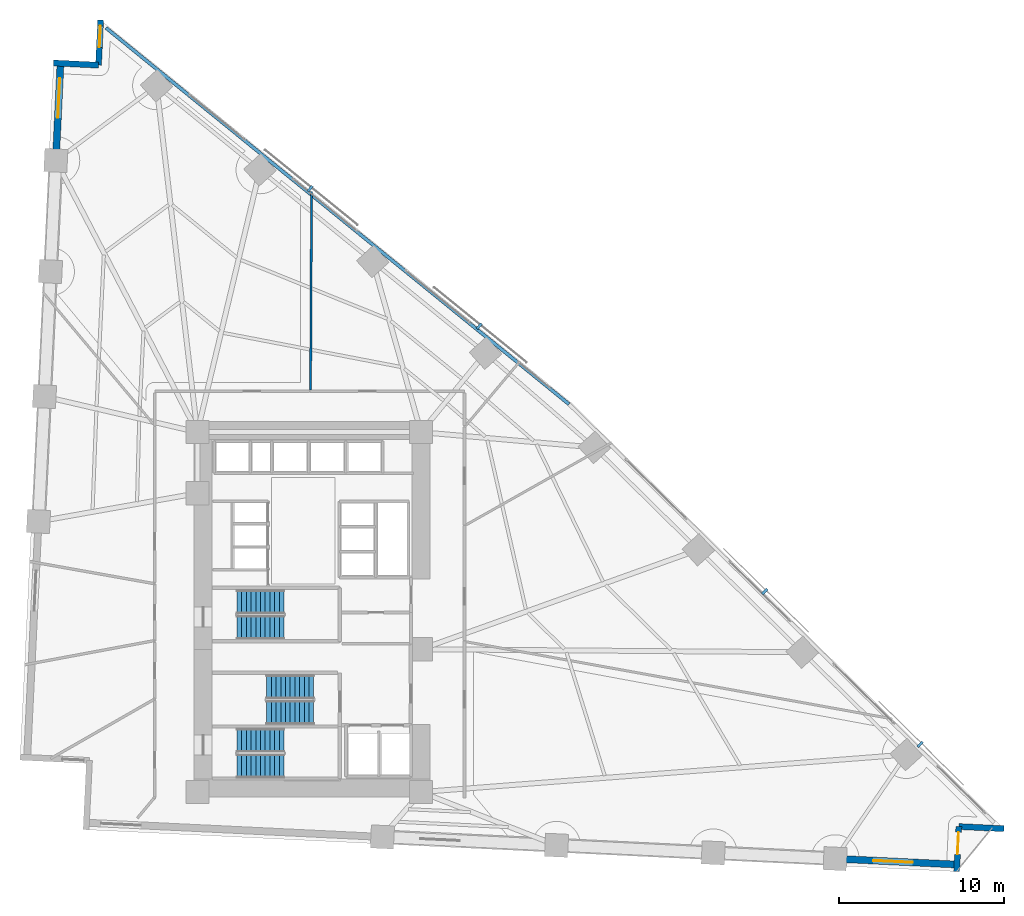
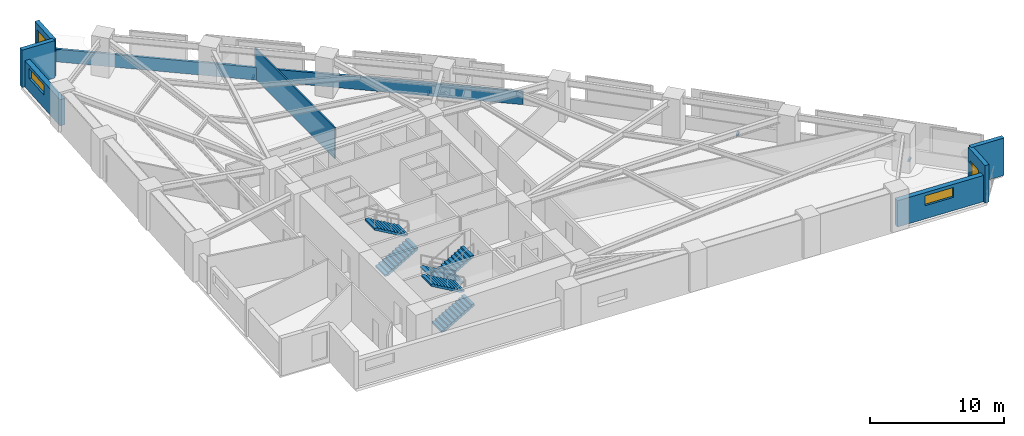
# One storey, part 15 of 17: 8 walls, 6 stair flights, 4 discrete accessories, 3 windows, 1 door, 4 openings, 3 elements without a shape of their own.
"""IFC4 building model written with IfcOpenShell, lengths in metres."""

import ifcopenshell
import ifcopenshell.guid

model = None  # the IFC model being written
_history = None  # IfcOwnerHistory: only IFC2X3 demands one
_inside = {}  # id of a spatial element -> (the spatial element, [elements in it])
_under = {}  # id of a project, library or spatial element -> (it, [spatial elements below it])
_declared = {}  # id of a project -> (the project, [libraries it declares])
_typed = {}  # id of a type object -> (the type object, [elements of that type])
_made_of = {}  # id of a material, layer set ... -> (it, [elements and type objects made of it])


def new_model(schema):
    """Start an empty IFC model of exactly this schema.

    Asked for "IFC4X3", IfcOpenShell would pick the latest addendum, in which some entities
    have other attributes; the version numbers below select the first issue.
    IFC2X3 requires an IfcOwnerHistory on every rooted entity: one is made here for all.
    """
    global model, _history
    if schema == "IFC4X3":
        model = ifcopenshell.file(schema_version=(4, 3, 0, 0))
    else:
        model = ifcopenshell.file(schema=schema)
    _inside.clear()
    _under.clear()
    _declared.clear()
    _typed.clear()
    _made_of.clear()
    _history = None
    if model.schema == "IFC2X3":
        org = make("IfcOrganization", Name="unknown")
        user = make(
            "IfcPersonAndOrganization",
            ThePerson=make("IfcPerson", FamilyName="unknown"),
            TheOrganization=org,
        )
        app = make(
            "IfcApplication",
            ApplicationDeveloper=org,
            Version="unknown",
            ApplicationFullName="unknown",
            ApplicationIdentifier="unknown",
        )
        _history = make(
            "IfcOwnerHistory",
            OwningUser=user,
            OwningApplication=app,
            ChangeAction="ADDED",
            CreationDate=0,
        )
    return model


def make(cls, **values):
    """One entity of the class cls with the attributes given. An attribute that is None is left unset."""
    return model.create_entity(
        cls, **{name: value for name, value in values.items() if value is not None}
    )


def rooted(cls, **values):
    """An entity with a GlobalId (a new one), such as an element, a storey or a relation."""
    return make(cls, GlobalId=ifcopenshell.guid.new(), OwnerHistory=_history, **values)


def si_unit(unit_type, name, prefix=None):
    """IfcSIUnit, for example si_unit("LENGTHUNIT", "METRE", prefix="MILLI")."""
    return make("IfcSIUnit", UnitType=unit_type, Prefix=prefix, Name=name)


def assignment(units):
    """IfcUnitAssignment: the units of a project."""
    return None if units is None else make("IfcUnitAssignment", Units=units)


def point(xyz):
    """IfcCartesianPoint."""
    return None if xyz is None else make("IfcCartesianPoint", Coordinates=xyz)


def direction(xyz):
    """IfcDirection."""
    return None if xyz is None else make("IfcDirection", DirectionRatios=xyz)


def frame(location, z_axis=None, x_axis=None):
    """IfcAxis2Placement3D, a coordinate frame: its origin and axes. An axis left out is left unset."""
    return make(
        "IfcAxis2Placement3D",
        Location=point(location),
        Axis=direction(z_axis),
        RefDirection=direction(x_axis),
    )


def frame_2d(location, x_axis=None):
    """IfcAxis2Placement2D, a coordinate frame in the plane: its origin and x axis."""
    return make(
        "IfcAxis2Placement2D", Location=point(location), RefDirection=direction(x_axis)
    )


def origin():
    """The frame at (0, 0, 0) with its axes left unset."""
    return frame((0.0, 0.0, 0.0))


def origin_2d():
    """The frame at (0, 0) in the plane with its x axis left unset."""
    return frame_2d((0.0, 0.0))


def place(relative_to, where):
    """IfcLocalPlacement: puts the frame where relative to a parent placement (None: the world)."""
    return make(
        "IfcLocalPlacement", PlacementRelTo=relative_to, RelativePlacement=where
    )


def context(
    kind, dimensions, precision=None, world=None, true_north=None, identifier=None
):
    """IfcGeometricRepresentationContext, for example the 3D "Model" context."""
    return make(
        "IfcGeometricRepresentationContext",
        ContextIdentifier=identifier,
        ContextType=kind,
        CoordinateSpaceDimension=dimensions,
        Precision=precision,
        WorldCoordinateSystem=world,
        TrueNorth=true_north,
    )


def subcontext(parent, identifier, kind, view, scale=None):
    """IfcGeometricRepresentationSubContext, for example "Body" below "Model"."""
    return make(
        "IfcGeometricRepresentationSubContext",
        ContextIdentifier=identifier,
        ContextType=kind,
        ParentContext=parent,
        TargetScale=scale,
        TargetView=view,
    )


def project(units=None, contexts=None):
    """IfcProject with its units and contexts."""
    return rooted(
        "IfcProject",
        Name="project",
        RepresentationContexts=contexts,
        UnitsInContext=assignment(units),
    )


def spatial(cls, under=None, at=None, **own):
    """A site, building, storey or space (cls), placed at a placement, below another one or the project."""
    s = rooted(cls, ObjectPlacement=at, **own)
    if under is not None:
        _under.setdefault(under.id(), (under, []))[1].append(s)
    return s


def polyline(points):
    """IfcPolyline through the points."""
    return make("IfcPolyline", Points=[point(p) for p in points])


def profile(cls, at=None, kind="AREA", **sizes):
    """A parametric profile (cls). Its sizes go by their IFC names, for example OverallWidth=200.0."""
    return make(cls, ProfileType=kind, Position=at, **sizes)


def rectangle(**sizes):
    """IfcRectangleProfileDef."""
    return profile("IfcRectangleProfileDef", **sizes)


def outline(outer, holes=None, kind="AREA"):
    """IfcArbitraryClosedProfileDef: a profile drawn as a closed curve; with holes, ...WithVoids."""
    if holes is None:
        return make("IfcArbitraryClosedProfileDef", ProfileType=kind, OuterCurve=outer)
    return make(
        "IfcArbitraryProfileDefWithVoids",
        ProfileType=kind,
        OuterCurve=outer,
        InnerCurves=holes,
    )


def extrude(swept, where, along, depth):
    """IfcExtrudedAreaSolid: the profile swept, set in the frame where, extruded along a direction by depth."""
    return make(
        "IfcExtrudedAreaSolid",
        SweptArea=swept,
        Position=where,
        ExtrudedDirection=direction(along),
        Depth=depth,
    )


def shape(context_of_items, identifier, shape_type, items):
    """IfcShapeRepresentation: the items that make up one representation, for example the "Body"."""
    return make(
        "IfcShapeRepresentation",
        ContextOfItems=context_of_items,
        RepresentationIdentifier=identifier,
        RepresentationType=shape_type,
        Items=items,
    )


def material(Name=None, Category=None):
    """IfcMaterial."""
    return make("IfcMaterial", Name=Name, Category=Category)


def layer(
    of_material, thickness, ventilated=None, Name=None, Category=None, Priority=None
):
    """IfcMaterialLayer: one layer of a wall or slab, of a material (None: an air gap)."""
    return make(
        "IfcMaterialLayer",
        Material=of_material,
        LayerThickness=thickness,
        IsVentilated=ventilated,
        Name=Name,
        Category=Category,
        Priority=Priority,
    )


def layer_set(layers, Name=None):
    """IfcMaterialLayerSet."""
    return make("IfcMaterialLayerSet", MaterialLayers=layers, LayerSetName=Name)


def made_of(thing, what):
    """Note that an element or type object is made of a material, layer set ...; save() writes the relation."""
    if what is not None:
        _made_of.setdefault(what.id(), (what, []))[1].append(thing)
    return thing


def type_object(cls, material=None, **own):
    """A type object (cls), such as IfcWallType, which elements share."""
    return made_of(rooted(cls, **own), material)


def element(
    cls,
    number,
    at=None,
    inside=None,
    cuts=None,
    type_object=None,
    material=None,
    context=None,
    identifier="Body",
    shape_type=None,
    held_by="IfcProductDefinitionShape",
    body=None,
    shapes=None,
    **own,
):
    """One element of the class cls, such as IfcWall. Its Tag is "e" and its number.

    at: its placement. inside: the storey or other place that contains it. cuts: it is an
    opening in that element (IfcRelVoidsElement). A single representation is given by context,
    identifier, shape_type and body (its items); several are given by shapes. held_by: the class
    of the entity that holds the representations. save() writes the other relations.
    """
    e = rooted(cls, Tag="e%d" % number, ObjectPlacement=at, **own)
    if body is not None:
        shapes = [shape(context, identifier, shape_type, body)]
    if shapes is not None:
        e.Representation = make(held_by, Representations=shapes)
    if inside is not None:
        _inside.setdefault(inside.id(), (inside, []))[1].append(e)
    if cuts is not None:
        rooted(
            "IfcRelVoidsElement", RelatingBuildingElement=cuts, RelatedOpeningElement=e
        )
    if type_object is not None:
        _typed.setdefault(type_object.id(), (type_object, []))[1].append(e)
    return made_of(e, material)


def fill(opening, filler):
    """IfcRelFillsElement: the door or window that sits in an opening."""
    return rooted(
        "IfcRelFillsElement",
        RelatingOpeningElement=opening,
        RelatedBuildingElement=filler,
    )


def aggregate(whole, parts):
    """IfcRelAggregates: a whole, such as a stair, and the parts it consists of."""
    return rooted("IfcRelAggregates", RelatingObject=whole, RelatedObjects=parts)


def save(model, path):
    """Write the relations noted so far, then the file.

    IfcRelAggregates (storeys below a building ...), IfcRelContainedInSpatialStructure (elements
    in a storey), IfcRelDefinesByType, IfcRelAssociatesMaterial and IfcRelDeclares: one each for
    every whole, place, type object, material and project.
    """
    for whole, parts in _under.values():
        aggregate(whole, parts)
    for where, things in _inside.values():
        rooted(
            "IfcRelContainedInSpatialStructure",
            RelatedElements=things,
            RelatingStructure=where,
        )
    for kind, things in _typed.values():
        rooted("IfcRelDefinesByType", RelatedObjects=things, RelatingType=kind)
    for what, things in _made_of.values():
        rooted("IfcRelAssociatesMaterial", RelatedObjects=things, RelatingMaterial=what)
    for by, libraries in _declared.values():
        rooted("IfcRelDeclares", RelatingContext=by, RelatedDefinitions=libraries)
    model.write(path)


model = new_model("IFC4")

# Units and contexts
model_context = context("Model", 3, precision=1e-05, world=origin(), true_north=direction((0.0, 1.0)))
body_context = subcontext(model_context, "Body", "Model", "MODEL_VIEW")
ifc_project = project(units=[si_unit("LENGTHUNIT", "METRE"), si_unit("AREAUNIT", "SQUARE_METRE"), si_unit("VOLUMEUNIT", "CUBIC_METRE"), si_unit("PLANEANGLEUNIT", "RADIAN"), si_unit("MASSUNIT", "GRAM", prefix="KILO")], contexts=[model_context])

# Site, building, storey
site_placement = place(None, origin())
site = spatial("IfcSite", under=ifc_project, at=site_placement, CompositionType="ELEMENT")
building_placement = place(site_placement, origin())
building = spatial("IfcBuilding", under=site, at=building_placement, Name="Narakoshi Arena Tower", CompositionType="ELEMENT")
storey_placement = place(building_placement, frame((0.0, 0.0, 37.5)))
storey = spatial("IfcBuildingStorey", under=building, at=storey_placement, Name="L09", CompositionType="ELEMENT", Elevation=37.5)

# Walls
ifc_material_1 = material(Name="Precast concrete C45/55", Category="concrete")
ifc_layer_1 = layer(ifc_material_1, 0.25)
ifc_layer_set_1 = layer_set([ifc_layer_1], Name="Precast concrete C45/55")
wall_type_1 = type_object("IfcWallType", Name="WL-PARA-250", PredefinedType="PARAPET", material=ifc_layer_set_1)
wall_1_placement = place(storey_placement, frame((94.51318359375, 58.19580078125, 0.0), z_axis=(0.0, 0.0, 1.0), x_axis=(-0.776001602097, 0.630730935933, 0.0)))
element("IfcWall", 1, at=wall_1_placement, inside=storey, type_object=wall_type_1, Name="L09 Hypotenuse Sill Upstand Parapet 2-01", PredefinedType="PARAPET", context=body_context, shape_type="SweptSolid", body=[
    extrude(rectangle(XDim=36.14794921875, YDim=0.199951171875, at=frame_2d((18.073974609375, 0.0))), origin(), (0.0, 0.0, 1.0), 1.14990234375),
])
ifc_material_2 = material(Name="Gypsum plasterboard fire-rated partition")
ifc_layer_2 = layer(ifc_material_2, 0.125)
ifc_layer_set_2 = layer_set([ifc_layer_2], Name="Gypsum plasterboard fire-rated partition")
wall_type_2 = type_object("IfcWallType", Name="WL-PART-125", PredefinedType="PARTITIONING", material=ifc_layer_set_2)
wall_2_placement = place(storey_placement, frame((78.860107421875, 59.06689453125, 0.0), z_axis=(0.0, 0.0, 1.0), x_axis=(0.005041918551, 0.999987289448, 0.0)))
element("IfcWall", 2, at=wall_2_placement, inside=storey, type_object=wall_type_2, Name="L09 Inter-Room Partition 07-08", PredefinedType="PARTITIONING", context=body_context, shape_type="SweptSolid", body=[
    extrude(rectangle(XDim=12.0087890625, YDim=0.125, at=frame_2d((6.00439453125, 0.0))), origin(), (0.0, 0.0, 1.0), 2.784912109375),
])

# Wall, opening, window
ifc_layer_3 = layer(ifc_material_1, 0.419921875)
ifc_layer_set_3 = layer_set([ifc_layer_3], Name="Precast concrete C45/55")
wall_type_3 = type_object("IfcWallType", Name="WL-POD-420", PredefinedType="SOLIDWALL", material=ifc_layer_set_3)
wall_3_placement = place(storey_placement, frame((110.636474609375, 30.661865234375, 0.0), z_axis=(0.0, 0.0, 1.0), x_axis=(0.998847872759, -0.047988822508, 0.0)))
wall_3 = element("IfcWall", 3, at=wall_3_placement, inside=storey, type_object=wall_type_3, Name="L09 Architectural Concrete Facade Wall LEGA-3", PredefinedType="SOLIDWALL", context=body_context, shape_type="SweptSolid", body=[
    extrude(rectangle(XDim=7.39208984375, YDim=0.419921875, at=frame_2d((3.696044921875, 0.0))), origin(), (0.0, 0.0, 1.0), 2.385009765625),
])
opening_1_placement = place(wall_3_placement, frame((2.300048828125, 0.0, 1.199951171875)))
opening_1 = element("IfcOpeningElement", 4, at=opening_1_placement, cuts=wall_3, Name="Opening WN-01", PredefinedType="OPENING", context=body_context, shape_type="SweptSolid", body=[
    extrude(rectangle(XDim=2.39990234375, YDim=0.89990234375, at=frame_2d((1.199951171875, 0.449951171875))), frame((0.0, 0.219970703125, 0.0), z_axis=(0.0, -1.0, 0.0), x_axis=(1.0, 0.0, 0.0)), (0.0, 0.0, 1.0), 0.43994140625),
])
ifc_material_3 = material(Name="Bronze-tinted low-E laminated glass", Category="glass")
window_type_1 = type_object("IfcWindowType", Name="WIN-SLT-24x09", PartitioningType="SINGLE_PANEL", PredefinedType="WINDOW", material=ifc_material_3)
window_1_placement = place(opening_1_placement, origin())
window_1 = element("IfcWindow", 5, at=window_1_placement, inside=storey, type_object=window_type_1, Name="L09 LEGA3 Horizontal Slot Window 1", OverallHeight=0.89990234375, OverallWidth=2.39990234375, PartitioningType="SINGLE_PANEL", PredefinedType="WINDOW", context=body_context, shape_type="SweptSolid", body=[
    extrude(rectangle(XDim=2.39990234375, YDim=0.89990234375, at=frame_2d((1.199951171875, 0.449951171875))), frame((0.0, 0.030029296875, 0.0), z_axis=(0.0, -1.0, 0.0), x_axis=(1.0, 0.0, 0.0)), (0.0, 0.0, 1.0), 0.06005859375),
])
fill(opening_1, window_1)

wall_4_placement = place(storey_placement, frame((63.711181640625, 78.84375, 0.0), z_axis=(0.0, 0.0, 1.0), x_axis=(-0.048007946398, -0.998846953784, 0.0)))
wall_4 = element("IfcWall", 6, at=wall_4_placement, inside=storey, type_object=wall_type_3, Name="L09 Architectural Concrete Facade Wall LEGB-1", PredefinedType="SOLIDWALL", context=body_context, shape_type="SweptSolid", body=[
    extrude(rectangle(XDim=5.89404296875, YDim=0.419921875, at=frame_2d((2.947021484375, 0.0))), origin(), (0.0, 0.0, 1.0), 2.385009765625),
])
opening_2_placement = place(wall_4_placement, frame((0.89990234375, 0.0, 1.199951171875)))
opening_2 = element("IfcOpeningElement", 7, at=opening_2_placement, cuts=wall_4, Name="Opening WN-01", PredefinedType="OPENING", context=body_context, shape_type="SweptSolid", body=[
    extrude(rectangle(XDim=2.39990234375, YDim=0.89990234375, at=frame_2d((1.199951171875, 0.449951171875))), frame((0.0, 0.219970703125, 0.0), z_axis=(0.0, -1.0, 0.0), x_axis=(1.0, 0.0, 0.0)), (0.0, 0.0, 1.0), 0.43994140625),
])
window_2_placement = place(opening_2_placement, origin())
window_2 = element("IfcWindow", 8, at=window_2_placement, inside=storey, type_object=window_type_1, Name="L09 LEGB1 Horizontal Slot Window 1", OverallHeight=0.89990234375, OverallWidth=2.39990234375, PartitioningType="SINGLE_PANEL", PredefinedType="WINDOW", context=body_context, shape_type="SweptSolid", body=[
    extrude(rectangle(XDim=2.39990234375, YDim=0.89990234375, at=frame_2d((1.199951171875, 0.449951171875))), frame((0.0, 0.030029296875, 0.0), z_axis=(0.0, -1.0, 0.0), x_axis=(1.0, 0.0, 0.0)), (0.0, 0.0, 1.0), 0.06005859375),
])
fill(opening_2, window_2)

# Wall, opening, door
wall_5_placement = place(storey_placement, frame((117.99951171875, 29.8828125, 0.0), z_axis=(0.0, 0.0, 1.0), x_axis=(0.048024030708, 0.998846180588, 0.0)))
wall_5 = element("IfcWall", 9, at=wall_5_placement, inside=storey, type_object=wall_type_3, Name="L09 Re-Entrant Corner Notch Wall NTE-1", PredefinedType="SOLIDWALL", context=body_context, shape_type="SweptSolid", body=[
    extrude(rectangle(XDim=2.72998046875, YDim=0.360107421875, at=frame_2d((1.364990234375, 0.0))), origin(), (0.0, 0.0, 1.0), 3.39990234375),
])
opening_3_placement = place(wall_5_placement, frame((1.0400390625, 0.0, 0.0)))
opening_3 = element("IfcOpeningElement", 10, at=opening_3_placement, cuts=wall_5, Name="Opening D-12", PredefinedType="OPENING", context=body_context, shape_type="SweptSolid", body=[
    extrude(rectangle(XDim=1.35009765625, YDim=2.35009765625, at=frame_2d((0.675048828125, 1.175048828125))), frame((0.0, 0.18994140625, 0.0), z_axis=(0.0, -1.0, 0.0), x_axis=(1.0, 0.0, 0.0)), (0.0, 0.0, 1.0), 0.380126953125),
])
ifc_material_4 = material(Name="Anodised bronze aluminium 6063-T6", Category="aluminium")
door_type = type_object("IfcDoorType", Name="DR-LOG-1350", OperationType="DOUBLE_DOOR_SLIDING", PredefinedType="DOOR", material=ifc_material_4)
door_placement = place(opening_3_placement, origin())
door = element("IfcDoor", 11, at=door_placement, inside=storey, type_object=door_type, Name="DR-L09-001", OperationType="DOUBLE_DOOR_SLIDING", OverallHeight=2.35009765625, OverallWidth=1.35009765625, PredefinedType="DOOR", context=body_context, shape_type="SweptSolid", body=[
    extrude(rectangle(XDim=1.35009765625, YDim=2.35009765625, at=frame_2d((0.675048828125, 1.175048828125))), frame((0.0, 0.02490234375, 0.0), z_axis=(0.0, -1.0, 0.0), x_axis=(1.0, 0.0, 0.0)), (0.0, 0.0, 1.0), 0.050048828125),
])
fill(opening_3, door)

# Wall
wall_6_placement = place(storey_placement, frame((118.130615234375, 32.609619140625, 0.0), z_axis=(0.0, 0.0, 1.0), x_axis=(0.998846180588, -0.048024030708, 0.0)))
element("IfcWall", 12, at=wall_6_placement, inside=storey, type_object=wall_type_3, Name="L09 Re-Entrant Corner Notch Wall NTE-2", PredefinedType="SOLIDWALL", context=body_context, shape_type="SweptSolid", body=[
    extrude(rectangle(XDim=2.72998046875, YDim=0.360107421875, at=frame_2d((1.364990234375, 0.0))), origin(), (0.0, 0.0, 1.0), 3.39990234375),
])

# Wall, opening, window
wall_7_placement = place(storey_placement, frame((66.144287109375, 81.4599609375, 0.0), z_axis=(0.0, 0.0, 1.0), x_axis=(-0.047934806162, -0.998850466465, 0.0)))
wall_7 = element("IfcWall", 13, at=wall_7_placement, inside=storey, type_object=wall_type_3, Name="L09 Re-Entrant Corner Notch Wall NTN-1", PredefinedType="SOLIDWALL", context=body_context, shape_type="SweptSolid", body=[
    extrude(rectangle(XDim=2.72998046875, YDim=0.360107421875, at=frame_2d((1.364990234375, 0.0))), origin(), (0.0, 0.0, 1.0), 3.39990234375),
])
opening_4_placement = place(wall_7_placement, frame((0.340087890625, 0.0, 0.449951171875)))
opening_4 = element("IfcOpeningElement", 14, at=opening_4_placement, cuts=wall_7, Name="Opening WN-06", PredefinedType="OPENING", context=body_context, shape_type="SweptSolid", body=[
    extrude(rectangle(XDim=1.300048828125, YDim=2.39990234375, at=frame_2d((0.64990234375, 1.199951171875))), frame((0.0, 0.18994140625, 0.0), z_axis=(0.0, -1.0, 0.0), x_axis=(1.0, 0.0, 0.0)), (0.0, 0.0, 1.0), 0.380126953125),
])
window_type_2 = type_object("IfcWindowType", Name="WIN-NTC-16x24", PartitioningType="SINGLE_PANEL", PredefinedType="WINDOW", material=ifc_material_3)
window_3_placement = place(opening_4_placement, origin())
window_3 = element("IfcWindow", 15, at=window_3_placement, inside=storey, type_object=window_type_2, Name="L09 Corner Notch Window NTN", OverallHeight=2.39990234375, OverallWidth=1.300048828125, PartitioningType="SINGLE_PANEL", PredefinedType="WINDOW", context=body_context, shape_type="SweptSolid", body=[
    extrude(rectangle(XDim=1.300048828125, YDim=2.39990234375, at=frame_2d((0.64990234375, 1.199951171875))), frame((0.0, 0.030029296875, 0.0), z_axis=(0.0, -1.0, 0.0), x_axis=(1.0, 0.0, 0.0)), (0.0, 0.0, 1.0), 0.06005859375),
])
fill(opening_4, window_3)

# Wall
wall_8_placement = place(storey_placement, frame((66.013427734375, 78.733154296875, 0.0), z_axis=(0.0, 0.0, 1.0), x_axis=(-0.998846180588, 0.048024030708, 0.0)))
element("IfcWall", 16, at=wall_8_placement, inside=storey, type_object=wall_type_3, Name="L09 Re-Entrant Corner Notch Wall NTN-2", PredefinedType="SOLIDWALL", context=body_context, shape_type="SweptSolid", body=[
    extrude(rectangle(XDim=2.72998046875, YDim=0.360107421875, at=frame_2d((1.364990234375, 0.0))), origin(), (0.0, 0.0, 1.0), 3.39990234375),
])

# Stair, stair flights
ifc_material_5 = material(Name="Concrete C45/55", Category="concrete")
stair_type = type_object("IfcStairType", Name="STR-CORE-360", PredefinedType="TWO_STRAIGHT_RUN_STAIR", material=ifc_material_5)
stair_1_placement = place(storey_placement, origin())
stair_1 = element("IfcStair", 17, at=stair_1_placement, inside=storey, type_object=stair_type, Name="L09 Core Escape Stair ST1", PredefinedType="TWO_STRAIGHT_RUN_STAIR")
stair_flight_type = type_object("IfcStairFlightType", Name="FLT-145-160", PredefinedType="STRAIGHT", material=ifc_material_1)
stair_flight_1_placement = place(storey_placement, frame((74.39990234375, 36.27490234375, 0.0), z_axis=(0.0, 0.0, 1.0), x_axis=(1.0, 0.0, 0.0)))
stair_flight_1 = element("IfcStairFlight", 18, at=stair_flight_1_placement, type_object=stair_flight_type, Name="ST1 flight 1", NumberOfRisers=11, NumberOfTreads=10, PredefinedType="STRAIGHT", RiserHeight=0.163636364, TreadLength=0.285, context=body_context, shape_type="SweptSolid", body=[
    extrude(outline(polyline([(0.0, 0.0), (0.0, 0.16357421875), (0.284912109375, 0.16357421875), (0.284912109375, 0.327392578125), (0.570068359375, 0.327392578125), (0.570068359375, 0.490966796875), (0.85498046875, 0.490966796875), (0.85498046875, 0.654541015625), (1.139892578125, 0.654541015625), (1.139892578125, 0.818115234375), (1.425048828125, 0.818115234375), (1.425048828125, 0.98193359375), (1.7099609375, 0.98193359375), (1.7099609375, 1.1455078125), (1.9951171875, 1.1455078125), (1.9951171875, 1.30908203125), (2.280029296875, 1.30908203125), (2.280029296875, 1.47265625), (2.56494140625, 1.47265625), (2.56494140625, 1.636474609375), (2.85009765625, 1.636474609375), (2.85009765625, 1.800048828125), (2.85009765625, 1.463623046875), (0.301025390625, 0.0), (0.0, 0.0)])), frame((0.0, 0.72509765625, 0.0), z_axis=(0.0, -1.0, 0.0), x_axis=(1.0, 0.0, 0.0)), (0.0, 0.0, 1.0), 1.449951171875),
])
stair_flight_2_placement = place(storey_placement, frame((77.25, 37.824951171875, 1.800048828125), z_axis=(0.0, 0.0, 1.0), x_axis=(-1.0, 0.0, 0.0)))
stair_flight_2 = element("IfcStairFlight", 19, at=stair_flight_2_placement, type_object=stair_flight_type, Name="ST1 flight 2", NumberOfRisers=11, NumberOfTreads=10, PredefinedType="STRAIGHT", RiserHeight=0.163636364, TreadLength=0.285, context=body_context, shape_type="SweptSolid", body=[
    extrude(outline(polyline([(0.0, 0.0), (0.0, 0.16357421875), (0.284912109375, 0.16357421875), (0.284912109375, 0.327392578125), (0.570068359375, 0.327392578125), (0.570068359375, 0.490966796875), (0.85498046875, 0.490966796875), (0.85498046875, 0.654541015625), (1.139892578125, 0.654541015625), (1.139892578125, 0.818115234375), (1.425048828125, 0.818115234375), (1.425048828125, 0.98193359375), (1.7099609375, 0.98193359375), (1.7099609375, 1.1455078125), (1.9951171875, 1.1455078125), (1.9951171875, 1.30908203125), (2.280029296875, 1.30908203125), (2.280029296875, 1.47265625), (2.56494140625, 1.47265625), (2.56494140625, 1.636474609375), (2.85009765625, 1.636474609375), (2.85009765625, 1.800048828125), (2.85009765625, 1.463623046875), (0.301025390625, 0.0), (0.0, 0.0)])), frame((0.0, 0.72509765625, 0.0), z_axis=(0.0, -1.0, 0.0), x_axis=(1.0, 0.0, 0.0)), (0.0, 0.0, 1.0), 1.449951171875),
])
aggregate(stair_1, [stair_flight_1, stair_flight_2])

stair_2_placement = place(storey_placement, origin())
stair_2 = element("IfcStair", 20, at=stair_2_placement, inside=storey, type_object=stair_type, Name="L09 Core Escape Stair ST2", PredefinedType="TWO_STRAIGHT_RUN_STAIR")
stair_flight_3_placement = place(storey_placement, frame((79.050048828125, 41.074951171875, 0.0), z_axis=(0.0, 0.0, 1.0), x_axis=(-1.0, 0.0, 0.0)))
stair_flight_3 = element("IfcStairFlight", 21, at=stair_flight_3_placement, type_object=stair_flight_type, Name="ST2 flight 1", NumberOfRisers=11, NumberOfTreads=10, PredefinedType="STRAIGHT", RiserHeight=0.163636364, TreadLength=0.285, context=body_context, shape_type="SweptSolid", body=[
    extrude(outline(polyline([(0.0, 0.0), (0.0, 0.16357421875), (0.284912109375, 0.16357421875), (0.284912109375, 0.327392578125), (0.570068359375, 0.327392578125), (0.570068359375, 0.490966796875), (0.85498046875, 0.490966796875), (0.85498046875, 0.654541015625), (1.139892578125, 0.654541015625), (1.139892578125, 0.818115234375), (1.425048828125, 0.818115234375), (1.425048828125, 0.98193359375), (1.7099609375, 0.98193359375), (1.7099609375, 1.1455078125), (1.9951171875, 1.1455078125), (1.9951171875, 1.30908203125), (2.280029296875, 1.30908203125), (2.280029296875, 1.47265625), (2.56494140625, 1.47265625), (2.56494140625, 1.636474609375), (2.85009765625, 1.636474609375), (2.85009765625, 1.800048828125), (2.85009765625, 1.463623046875), (0.301025390625, 0.0), (0.0, 0.0)])), frame((0.0, 0.72509765625, 0.0), z_axis=(0.0, -1.0, 0.0), x_axis=(1.0, 0.0, 0.0)), (0.0, 0.0, 1.0), 1.449951171875),
])
stair_flight_4_placement = place(storey_placement, frame((76.199951171875, 39.52490234375, 1.800048828125), z_axis=(0.0, 0.0, 1.0), x_axis=(1.0, 0.0, 0.0)))
stair_flight_4 = element("IfcStairFlight", 22, at=stair_flight_4_placement, type_object=stair_flight_type, Name="ST2 flight 2", NumberOfRisers=11, NumberOfTreads=10, PredefinedType="STRAIGHT", RiserHeight=0.163636364, TreadLength=0.285, context=body_context, shape_type="SweptSolid", body=[
    extrude(outline(polyline([(0.0, 0.0), (0.0, 0.16357421875), (0.284912109375, 0.16357421875), (0.284912109375, 0.327392578125), (0.570068359375, 0.327392578125), (0.570068359375, 0.490966796875), (0.85498046875, 0.490966796875), (0.85498046875, 0.654541015625), (1.139892578125, 0.654541015625), (1.139892578125, 0.818115234375), (1.425048828125, 0.818115234375), (1.425048828125, 0.98193359375), (1.7099609375, 0.98193359375), (1.7099609375, 1.1455078125), (1.9951171875, 1.1455078125), (1.9951171875, 1.30908203125), (2.280029296875, 1.30908203125), (2.280029296875, 1.47265625), (2.56494140625, 1.47265625), (2.56494140625, 1.636474609375), (2.85009765625, 1.636474609375), (2.85009765625, 1.800048828125), (2.85009765625, 1.463623046875), (0.301025390625, 0.0), (0.0, 0.0)])), frame((0.0, 0.72509765625, 0.0), z_axis=(0.0, -1.0, 0.0), x_axis=(1.0, 0.0, 0.0)), (0.0, 0.0, 1.0), 1.449951171875),
])
aggregate(stair_2, [stair_flight_3, stair_flight_4])

stair_3_placement = place(storey_placement, origin())
stair_3 = element("IfcStair", 23, at=stair_3_placement, inside=storey, type_object=stair_type, Name="L09 Core Escape Stair ST3", PredefinedType="TWO_STRAIGHT_RUN_STAIR")
stair_flight_5_placement = place(storey_placement, frame((74.39990234375, 44.675048828125, 0.0), z_axis=(0.0, 0.0, 1.0), x_axis=(1.0, 0.0, 0.0)))
stair_flight_5 = element("IfcStairFlight", 24, at=stair_flight_5_placement, type_object=stair_flight_type, Name="ST3 flight 1", NumberOfRisers=11, NumberOfTreads=10, PredefinedType="STRAIGHT", RiserHeight=0.163636364, TreadLength=0.285, context=body_context, shape_type="SweptSolid", body=[
    extrude(outline(polyline([(0.0, 0.0), (0.0, 0.16357421875), (0.284912109375, 0.16357421875), (0.284912109375, 0.327392578125), (0.570068359375, 0.327392578125), (0.570068359375, 0.490966796875), (0.85498046875, 0.490966796875), (0.85498046875, 0.654541015625), (1.139892578125, 0.654541015625), (1.139892578125, 0.818115234375), (1.425048828125, 0.818115234375), (1.425048828125, 0.98193359375), (1.7099609375, 0.98193359375), (1.7099609375, 1.1455078125), (1.9951171875, 1.1455078125), (1.9951171875, 1.30908203125), (2.280029296875, 1.30908203125), (2.280029296875, 1.47265625), (2.56494140625, 1.47265625), (2.56494140625, 1.636474609375), (2.85009765625, 1.636474609375), (2.85009765625, 1.800048828125), (2.85009765625, 1.463623046875), (0.301025390625, 0.0), (0.0, 0.0)])), frame((0.0, 0.72509765625, 0.0), z_axis=(0.0, -1.0, 0.0), x_axis=(1.0, 0.0, 0.0)), (0.0, 0.0, 1.0), 1.449951171875),
])
stair_flight_6_placement = place(storey_placement, frame((77.25, 46.22509765625, 1.800048828125), z_axis=(0.0, 0.0, 1.0), x_axis=(-1.0, 0.0, 0.0)))
stair_flight_6 = element("IfcStairFlight", 25, at=stair_flight_6_placement, type_object=stair_flight_type, Name="ST3 flight 2", NumberOfRisers=11, NumberOfTreads=10, PredefinedType="STRAIGHT", RiserHeight=0.163636364, TreadLength=0.285, context=body_context, shape_type="SweptSolid", body=[
    extrude(outline(polyline([(0.0, 0.0), (0.0, 0.16357421875), (0.284912109375, 0.16357421875), (0.284912109375, 0.327392578125), (0.570068359375, 0.327392578125), (0.570068359375, 0.490966796875), (0.85498046875, 0.490966796875), (0.85498046875, 0.654541015625), (1.139892578125, 0.654541015625), (1.139892578125, 0.818115234375), (1.425048828125, 0.818115234375), (1.425048828125, 0.98193359375), (1.7099609375, 0.98193359375), (1.7099609375, 1.1455078125), (1.9951171875, 1.1455078125), (1.9951171875, 1.30908203125), (2.280029296875, 1.30908203125), (2.280029296875, 1.47265625), (2.56494140625, 1.47265625), (2.56494140625, 1.636474609375), (2.85009765625, 1.636474609375), (2.85009765625, 1.800048828125), (2.85009765625, 1.463623046875), (0.301025390625, 0.0), (0.0, 0.0)])), frame((0.0, 0.72509765625, 0.0), z_axis=(0.0, -1.0, 0.0), x_axis=(1.0, 0.0, 0.0)), (0.0, 0.0, 1.0), 1.449951171875),
])
aggregate(stair_3, [stair_flight_5, stair_flight_6])

# Discrete accessories
ifc_material_6 = material(Name="Structural steel S355J2", Category="steel")
discrete_accessory_type = type_object("IfcDiscreteAccessoryType", Name="ACC-BRK-SCR", PredefinedType="BRACKET", material=ifc_material_6)
for number, where, z_axis, x_axis, name in (
    (26, (115.783203125, 37.58740234375, -0.080078125), (0.0, 0.0, 1.0), (-0.712540559713, 0.70163092204, 0.0), "L09 Solar Screen Support Bracket SHD-L09-SCR1-1"),
    (27, (106.377685546875, 46.848876953125, -0.080078125), (0.0, 0.0, 1.0), (-0.712540559713, 0.70163092204, 0.0), "L09 Solar Screen Support Bracket SHD-L09-SCR1-2"),
    (28, (89.077392578125, 62.923095703125, -0.080078125), (0.0, 0.0, 1.0), (-0.776002375698, 0.630729984154, 0.0), "L09 Solar Screen Support Bracket SHD-L09-SCR2-1"),
    (29, (78.833984375, 71.248779296875, -0.080078125), (0.0, 0.0, 1.0), (-0.776002375698, 0.630729984154, 0.0), "L09 Solar Screen Support Bracket SHD-L09-SCR2-2"),
):
    element("IfcDiscreteAccessory", number, at=place(storey_placement, frame(where, z_axis=z_axis, x_axis=x_axis)), inside=storey, type_object=discrete_accessory_type, Name=name, PredefinedType="BRACKET", context=body_context, shape_type="SweptSolid", body=[
        extrude(rectangle(XDim=0.159912109375, YDim=0.425048828125, at=origin_2d()), origin(), (0.0, 0.0, 1.0), 0.199951171875),
    ])

save(model, "model.ifc")
